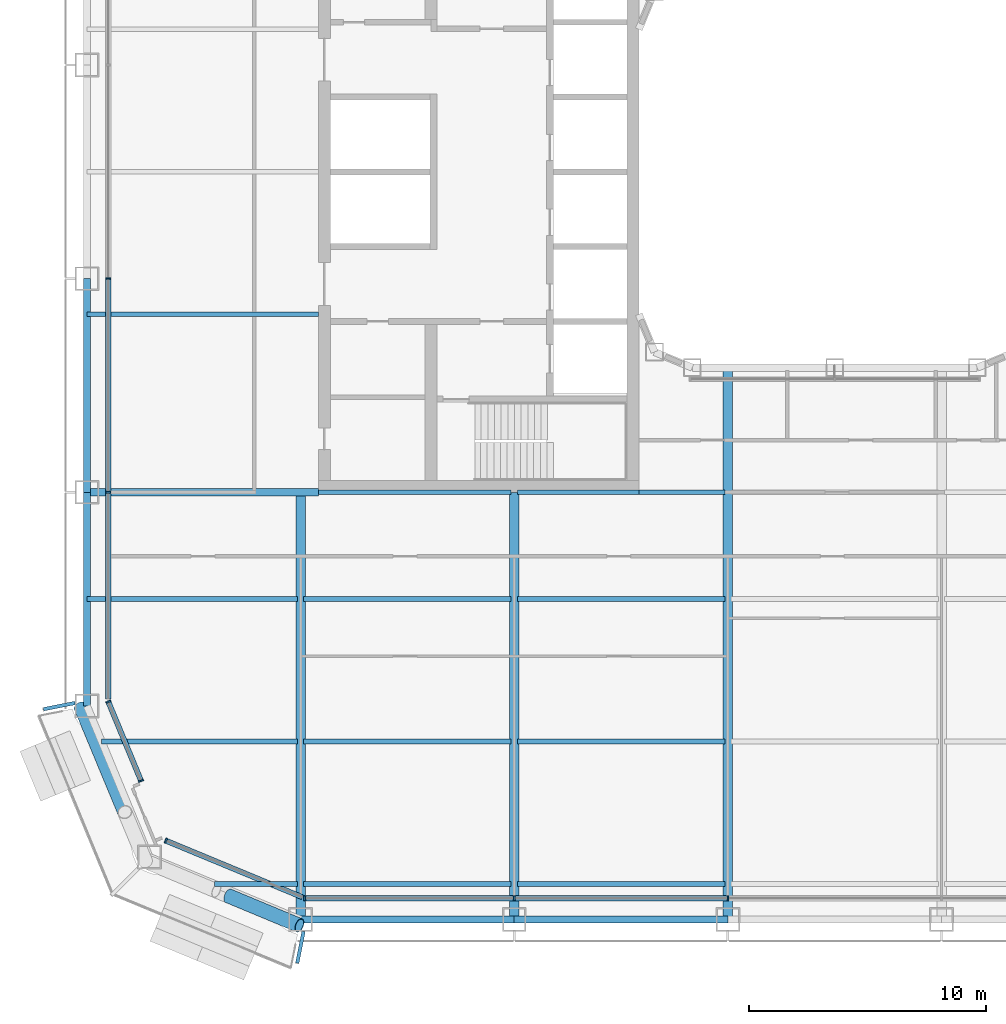
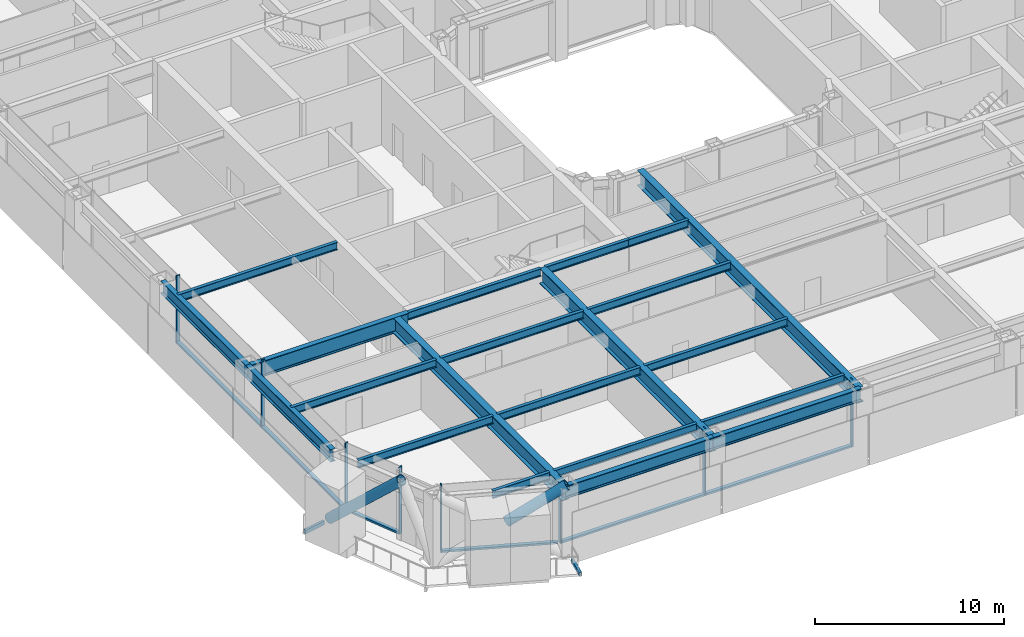
# One storey, part 2 of 27: 23 beams, 16 members, 4 elements without a shape of their own.
"""IFC4 building model written with IfcOpenShell, lengths in metres."""

from ifc_helpers import new_model, si_unit, direction, frame, origin, origin_2d, place, context, subcontext, project, spatial, rectangle, hollow_rectangle, hollow_circle, i_section, extrude, material, layer, layer_set, material_profile, profile_set, type_object, element, aggregate, save


model = new_model("IFC4")

# Units and contexts
model_context = context("Model", 3, precision=1e-05, world=origin(), true_north=direction((0.0, 1.0)))
body_context = subcontext(model_context, "Body", "Model", "MODEL_VIEW")
ifc_project = project(units=[si_unit("LENGTHUNIT", "METRE"), si_unit("AREAUNIT", "SQUARE_METRE"), si_unit("VOLUMEUNIT", "CUBIC_METRE"), si_unit("PLANEANGLEUNIT", "RADIAN"), si_unit("MASSUNIT", "GRAM", prefix="KILO")], contexts=[model_context])

# Site, building, storey
site_placement = place(None, origin())
site = spatial("IfcSite", under=ifc_project, at=site_placement, CompositionType="ELEMENT")
building_placement = place(site_placement, origin())
building = spatial("IfcBuilding", under=site, at=building_placement, Name="Siwar Civic Tower", CompositionType="ELEMENT")
storey_placement = place(building_placement, frame((0.0, 0.0, 71.699951171875)))
storey = spatial("IfcBuildingStorey", under=building, at=storey_placement, Name="L15", CompositionType="ELEMENT", Elevation=71.699951171875)

# Beams
ifc_material_1 = material(Name="Steel S355", Category="steel")
ifc_material_profile_1 = material_profile(ifc_material_1, hollow_rectangle(XDim=0.14990234375, YDim=0.25, WallThickness=0.010009765625, at=origin_2d()), Name="RHS250x150x10")
ifc_profile_set_1 = profile_set([ifc_material_profile_1], Name="Steel S355")
beam_type_1 = type_object("IfcBeamType", Name="ENV-BALCONY ARM", PredefinedType="BEAM", material=ifc_profile_set_1)
for number, where, z_axis, x_axis, name in (
    (1, (-32.0, -22.375244140625, -0.27490234375), (-0.980807679798, -0.194977678848, 0.0), (0.194977678848, -0.980807679798, 0.0), "Balcony cantilever beam SW 1"),
    (2, (-22.375244140625, -32.0, -0.27490234375), (-0.194977678848, -0.980807679798, 0.0), (0.980807679798, -0.194977678848, 0.0), "Balcony cantilever beam SW 3"),
):
    element("IfcBeam", number, at=place(storey_placement, frame(where, z_axis=z_axis, x_axis=x_axis)), inside=storey, type_object=beam_type_1, Name=name, PredefinedType="BEAM", context=body_context, shape_type="SweptSolid", body=[
        extrude(hollow_rectangle(XDim=0.14990234375, YDim=0.25, WallThickness=0.010009765625, at=origin_2d()), origin(), (0.0, 0.0, 1.0), 1.361083984375),
    ])

# Curtain wall, members
ifc_material_2 = material(Name="Aluminium and glass", Category="aluminium")
ifc_layer_1 = layer(ifc_material_2, 0.219970703125)
ifc_layer_set_1 = layer_set([ifc_layer_1], Name="Aluminium and glass")
curtain_wall_type_1 = type_object("IfcCurtainWallType", Name="ENV-CW-A", PredefinedType="NOTDEFINED", material=ifc_layer_set_1)
curtain_wall_1_placement = place(storey_placement, origin())
curtain_wall_1 = element("IfcCurtainWall", 3, at=curtain_wall_1_placement, inside=storey, type_object=curtain_wall_type_1, Name="Curtain wall A S", PredefinedType="NOTDEFINED")
ifc_material_3 = material(Name="Aluminium 6063-T6", Category="aluminium")
ifc_material_profile_2 = material_profile(ifc_material_3, rectangle(XDim=0.219970703125, YDim=0.070068359375, at=origin_2d()), Name="AL 220x70")
ifc_profile_set_2 = profile_set([ifc_material_profile_2], Name="Aluminium 6063-T6")
member_type_1 = type_object("IfcMemberType", Name="ENV-MULLION-A", PredefinedType="MULLION", material=ifc_profile_set_2)
member_1_placement = place(storey_placement, frame((-22.321044921875, -30.60009765625, 0.0), z_axis=(0.0, 0.0, 1.0), x_axis=(0.0, 1.0, 0.0)))
member_1 = element("IfcMember", 4, at=member_1_placement, type_object=member_type_1, Name="Mullion A S 1", PredefinedType="MULLION", context=body_context, shape_type="SweptSolid", body=[
    extrude(rectangle(XDim=0.219970703125, YDim=0.070068359375, at=origin_2d()), origin(), (0.0, 0.0, 1.0), 4.35009765625),
])
member_2_placement = place(storey_placement, frame((-13.5, -30.60009765625, 0.0), z_axis=(0.0, 0.0, 1.0), x_axis=(0.0, 1.0, 0.0)))
member_2 = element("IfcMember", 5, at=member_2_placement, type_object=member_type_1, Name="Mullion A S 2", PredefinedType="MULLION", context=body_context, shape_type="SweptSolid", body=[
    extrude(rectangle(XDim=0.219970703125, YDim=0.070068359375, at=origin_2d()), origin(), (0.0, 0.0, 1.0), 4.35009765625),
])
member_3_placement = place(storey_placement, frame((-4.5, -30.60009765625, 0.0), z_axis=(0.0, 0.0, 1.0), x_axis=(0.0, 1.0, 0.0)))
member_3 = element("IfcMember", 6, at=member_3_placement, type_object=member_type_1, Name="Mullion A S 3", PredefinedType="MULLION", context=body_context, shape_type="SweptSolid", body=[
    extrude(rectangle(XDim=0.219970703125, YDim=0.070068359375, at=origin_2d()), origin(), (0.0, 0.0, 1.0), 4.35009765625),
])

curtain_wall_2_placement = place(storey_placement, origin())
curtain_wall_2 = element("IfcCurtainWall", 7, at=curtain_wall_2_placement, inside=storey, type_object=curtain_wall_type_1, Name="Curtain wall A W", PredefinedType="NOTDEFINED")
member_4_placement = place(storey_placement, frame((-30.60009765625, -4.5, 0.0), z_axis=(0.0, 0.0, 1.0), x_axis=(1.0, 0.0, 0.0)))
member_4 = element("IfcMember", 8, at=member_4_placement, type_object=member_type_1, Name="Mullion A W 4", PredefinedType="MULLION", context=body_context, shape_type="SweptSolid", body=[
    extrude(rectangle(XDim=0.219970703125, YDim=0.070068359375, at=origin_2d()), origin(), (0.0, 0.0, 1.0), 4.35009765625),
])
member_5_placement = place(storey_placement, frame((-30.60009765625, -13.5, 0.0), z_axis=(0.0, 0.0, 1.0), x_axis=(1.0, 0.0, 0.0)))
member_5 = element("IfcMember", 9, at=member_5_placement, type_object=member_type_1, Name="Mullion A W 5", PredefinedType="MULLION", context=body_context, shape_type="SweptSolid", body=[
    extrude(rectangle(XDim=0.219970703125, YDim=0.070068359375, at=origin_2d()), origin(), (0.0, 0.0, 1.0), 4.35009765625),
])

ifc_material_4 = material(Name="Aluminium clad insulated panel", Category="aluminium")
ifc_layer_2 = layer(ifc_material_4, 0.219970703125)
ifc_layer_set_2 = layer_set([ifc_layer_2], Name="Aluminium clad insulated panel")
curtain_wall_type_2 = type_object("IfcCurtainWallType", Name="ENV-CW-AX", PredefinedType="NOTDEFINED", material=ifc_layer_set_2)
curtain_wall_3_placement = place(storey_placement, origin())
curtain_wall_3 = element("IfcCurtainWall", 10, at=curtain_wall_3_placement, inside=storey, type_object=curtain_wall_type_2, Name="Curtain wall A SW1", PredefinedType="NOTDEFINED")
member_6_placement = place(storey_placement, frame((-30.60009765625, -22.321044921875, 0.0), z_axis=(0.0, 0.0, 1.0), x_axis=(0.923879532511, 0.382683432365, 0.0)))
member_6 = element("IfcMember", 11, at=member_6_placement, type_object=member_type_1, Name="Mullion A SW1 1", PredefinedType="MULLION", context=body_context, shape_type="SweptSolid", body=[
    extrude(rectangle(XDim=0.219970703125, YDim=0.070068359375, at=origin_2d()), origin(), (0.0, 0.0, 1.0), 4.35009765625),
])
member_7_placement = place(storey_placement, frame((-29.219482421875, -25.653564453125, 0.0), z_axis=(0.0, 0.0, 1.0), x_axis=(0.923879532511, 0.382683432365, 0.0)))
member_7 = element("IfcMember", 12, at=member_7_placement, type_object=member_type_1, Name="Mullion A SW1 2", PredefinedType="MULLION", context=body_context, shape_type="SweptSolid", body=[
    extrude(rectangle(XDim=0.219970703125, YDim=0.070068359375, at=origin_2d()), origin(), (0.0, 0.0, 1.0), 4.35009765625),
])

# Curtain wall, member
curtain_wall_4_placement = place(storey_placement, origin())
curtain_wall_4 = element("IfcCurtainWall", 13, at=curtain_wall_4_placement, inside=storey, type_object=curtain_wall_type_2, Name="Curtain wall A SW2", PredefinedType="NOTDEFINED")
member_8_placement = place(storey_placement, frame((-28.175048828125, -28.175048828125, 0.0), z_axis=(0.0, 0.0, 1.0), x_axis=(0.382683432365, 0.923879532511, 0.0)))
member_8 = element("IfcMember", 14, at=member_8_placement, type_object=member_type_1, Name="Mullion A SW2 1", PredefinedType="MULLION", context=body_context, shape_type="SweptSolid", body=[
    extrude(rectangle(XDim=0.219970703125, YDim=0.070068359375, at=origin_2d()), origin(), (0.0, 0.0, 1.0), 4.35009765625),
])

# Member
ifc_material_5 = material(Name="Aluminium 6063-T6", Category="aluminium")
ifc_material_profile_3 = material_profile(ifc_material_5, rectangle(XDim=0.219970703125, YDim=0.1201171875, at=origin_2d()), Name="AL 220x120")
ifc_profile_set_3 = profile_set([ifc_material_profile_3], Name="Aluminium 6063-T6")
member_type_2 = type_object("IfcMemberType", Name="ENV-TRANSOM-A", PredefinedType="USERDEFINED", material=ifc_profile_set_3)
member_9_placement = place(storey_placement, frame((-22.285888671875, -30.60009765625, 0.06005859375), z_axis=(1.0, 0.0, 0.0), x_axis=(0.0, 1.0, 0.0)))
member_9 = element("IfcMember", 15, at=member_9_placement, type_object=member_type_2, Name="Transom A S 1", ObjectType="TRANSOM", PredefinedType="USERDEFINED", context=body_context, shape_type="SweptSolid", body=[
    extrude(rectangle(XDim=0.219970703125, YDim=0.1201171875, at=origin_2d()), origin(), (0.0, 0.0, 1.0), 8.7509765625),
])

member_10_placement = place(storey_placement, frame((-13.465087890625, -30.60009765625, 0.06005859375), z_axis=(1.0, 0.0, 0.0), x_axis=(0.0, 1.0, 0.0)))
member_10 = element("IfcMember", 16, at=member_10_placement, type_object=member_type_2, Name="Transom A S 2", ObjectType="TRANSOM", PredefinedType="USERDEFINED", context=body_context, shape_type="SweptSolid", body=[
    extrude(rectangle(XDim=0.219970703125, YDim=0.1201171875, at=origin_2d()), origin(), (0.0, 0.0, 1.0), 8.93017578125),
])

aggregate(curtain_wall_1, [member_1, member_2, member_3, member_9, member_10])

member_11_placement = place(storey_placement, frame((-30.60009765625, -4.534912109375, 0.06005859375), z_axis=(0.0, -1.0, 0.0), x_axis=(1.0, 0.0, 0.0)))
member_11 = element("IfcMember", 17, at=member_11_placement, type_object=member_type_2, Name="Transom A W 4", ObjectType="TRANSOM", PredefinedType="USERDEFINED", context=body_context, shape_type="SweptSolid", body=[
    extrude(rectangle(XDim=0.219970703125, YDim=0.1201171875, at=origin_2d()), origin(), (0.0, 0.0, 1.0), 8.93017578125),
])

member_12_placement = place(storey_placement, frame((-30.60009765625, -13.534912109375, 0.06005859375), z_axis=(0.0, -1.0, 0.0), x_axis=(1.0, 0.0, 0.0)))
member_12 = element("IfcMember", 18, at=member_12_placement, type_object=member_type_2, Name="Transom A W 5", ObjectType="TRANSOM", PredefinedType="USERDEFINED", context=body_context, shape_type="SweptSolid", body=[
    extrude(rectangle(XDim=0.219970703125, YDim=0.1201171875, at=origin_2d()), origin(), (0.0, 0.0, 1.0), 8.66357421875),
])

aggregate(curtain_wall_2, [member_4, member_5, member_11, member_12])

member_13_placement = place(storey_placement, frame((-30.586669921875, -22.353271484375, 0.06005859375), z_axis=(0.38270330002, -0.923871302809, 0.0), x_axis=(0.923871302809, 0.38270330002, 0.0)))
member_13 = element("IfcMember", 19, at=member_13_placement, type_object=member_type_2, Name="Transom A SW1 1", ObjectType="TRANSOM", PredefinedType="USERDEFINED", context=body_context, shape_type="SweptSolid", body=[
    extrude(rectangle(XDim=0.219970703125, YDim=0.1201171875, at=origin_2d()), origin(), (0.0, 0.0, 1.0), 3.537353515625),
])

aggregate(curtain_wall_3, [member_6, member_7, member_13])

member_14_placement = place(storey_placement, frame((-28.142822265625, -28.1884765625, 0.06005859375), z_axis=(0.923873326341, -0.382698415042, 0.0), x_axis=(0.382698415042, 0.923873326341, 0.0)))
member_14 = element("IfcMember", 20, at=member_14_placement, type_object=member_type_2, Name="Transom A SW2 1", ObjectType="TRANSOM", PredefinedType="USERDEFINED", context=body_context, shape_type="SweptSolid", body=[
    extrude(rectangle(XDim=0.219970703125, YDim=0.1201171875, at=origin_2d()), origin(), (0.0, 0.0, 1.0), 6.17919921875),
])

aggregate(curtain_wall_4, [member_8, member_14])

# Members
ifc_material_6 = material(Name="Steel S355", Category="steel")
ifc_material_profile_4 = material_profile(ifc_material_6, hollow_circle(Radius=0.304931640625, WallThickness=0.030029296875, at=origin_2d()), Name="CHS610x30")
ifc_profile_set_4 = profile_set([ifc_material_profile_4], Name="Steel S355")
member_type_3 = type_object("IfcMemberType", Name="STR-BR-CHS610x30", PredefinedType="BRACE", material=ifc_profile_set_4)
member_15_placement = place(storey_placement, frame((-25.537353515625, -30.500244140625, 2.428466796875), z_axis=(0.777559680196, -0.3238932121, 0.53897507446), x_axis=(0.384524353215, 0.923114847559, 0.0)))
element("IfcMember", 21, at=member_15_placement, inside=storey, type_object=member_type_3, Name="L15/brc/ASW1-14-0-3", PredefinedType="BRACE", context=body_context, shape_type="SweptSolid", body=[
    extrude(hollow_circle(Radius=0.304931640625, WallThickness=0.030029296875, at=origin_2d()), origin(), (0.0, 0.0, 1.0), 3.843505859375),
])
member_16_placement = place(storey_placement, frame((-31.7451171875, -22.548828125, 0.0), z_axis=(0.280310719993, -0.672864582402, 0.684601456328), x_axis=(0.923101041979, 0.384557494138, 0.0)))
element("IfcMember", 22, at=member_16_placement, inside=storey, type_object=member_type_3, Name="L15/brc/ASW1-14-0-0", PredefinedType="BRACE", context=body_context, shape_type="SweptSolid", body=[
    extrude(hollow_circle(Radius=0.304931640625, WallThickness=0.030029296875, at=origin_2d()), origin(), (0.0, 0.0, 1.0), 6.5732421875),
])

# Beams
ifc_material_7 = material(Name="Steel S355", Category="steel")
ifc_material_profile_5 = material_profile(ifc_material_7, i_section(OverallWidth=0.199951171875, OverallDepth=0.5, WebThickness=0.01025390625, FlangeThickness=0.01611328125, FilletRadius=0.02099609375, at=origin_2d()), Name="IPE500")
ifc_profile_set_5 = profile_set([ifc_material_profile_5], Name="Steel S355")
beam_type_2 = type_object("IfcBeamType", Name="STR-FB-IPE500", PredefinedType="JOIST", material=ifc_profile_set_5)
beam_1_placement = place(storey_placement, frame((-26.121337890625, -30.0, 4.10009765625), z_axis=(1.0, 0.0, 0.0), x_axis=(0.0, 1.0, 0.0)))
element("IfcBeam", 23, at=beam_1_placement, inside=storey, type_object=beam_type_2, Name="L15/bm/F001", PredefinedType="JOIST", context=body_context, shape_type="SweptSolid", body=[
    extrude(i_section(OverallWidth=0.199951171875, OverallDepth=0.5, WebThickness=0.01025390625, FlangeThickness=0.01611328125, FilletRadius=0.02099609375, at=origin_2d()), origin(), (0.0, 0.0, 1.0), 3.491455078125),
])
for number, where, z_axis, x_axis, name in (
    (24, (-22.3701171875, -30.0, 4.10009765625), (1.0, 0.0, 0.0), (0.0, 1.0, 0.0), "L15/bm/F002"),
    (25, (-13.3701171875, -30.0, 4.10009765625), (1.0, 0.0, 0.0), (0.0, 1.0, 0.0), "L15/bm/F003"),
):
    element("IfcBeam", number, at=place(storey_placement, frame(where, z_axis=z_axis, x_axis=x_axis)), inside=storey, type_object=beam_type_2, Name=name, PredefinedType="JOIST", context=body_context, shape_type="SweptSolid", body=[
        extrude(i_section(OverallWidth=0.199951171875, OverallDepth=0.5, WebThickness=0.01025390625, FlangeThickness=0.01611328125, FilletRadius=0.02099609375, at=origin_2d()), origin(), (0.0, 0.0, 1.0), 8.740234375),
    ])
beam_2_placement = place(storey_placement, frame((-30.878662109375, -24.0, 4.10009765625), z_axis=(1.0, 0.0, 0.0), x_axis=(0.0, 1.0, 0.0)))
element("IfcBeam", 26, at=beam_2_placement, inside=storey, type_object=beam_type_2, Name="L15/bm/F008", PredefinedType="JOIST", context=body_context, shape_type="SweptSolid", body=[
    extrude(i_section(OverallWidth=0.199951171875, OverallDepth=0.5, WebThickness=0.01025390625, FlangeThickness=0.01611328125, FilletRadius=0.02099609375, at=origin_2d()), origin(), (0.0, 0.0, 1.0), 8.248779296875),
])
for number, where, z_axis, x_axis, name in (
    (27, (-22.3701171875, -24.0, 4.10009765625), (1.0, 0.0, 0.0), (0.0, 1.0, 0.0), "L15/bm/F009"),
    (28, (-13.3701171875, -24.0, 4.10009765625), (1.0, 0.0, 0.0), (0.0, 1.0, 0.0), "L15/bm/F010"),
):
    element("IfcBeam", number, at=place(storey_placement, frame(where, z_axis=z_axis, x_axis=x_axis)), inside=storey, type_object=beam_type_2, Name=name, PredefinedType="JOIST", context=body_context, shape_type="SweptSolid", body=[
        extrude(i_section(OverallWidth=0.199951171875, OverallDepth=0.5, WebThickness=0.01025390625, FlangeThickness=0.01611328125, FilletRadius=0.02099609375, at=origin_2d()), origin(), (0.0, 0.0, 1.0), 8.740234375),
    ])
beam_3_placement = place(storey_placement, frame((-31.5, -18.0, 4.10009765625), z_axis=(1.0, 0.0, 0.0), x_axis=(0.0, 1.0, 0.0)))
element("IfcBeam", 29, at=beam_3_placement, inside=storey, type_object=beam_type_2, Name="L15/bm/F015", PredefinedType="JOIST", context=body_context, shape_type="SweptSolid", body=[
    extrude(i_section(OverallWidth=0.199951171875, OverallDepth=0.5, WebThickness=0.01025390625, FlangeThickness=0.01611328125, FilletRadius=0.02099609375, at=origin_2d()), origin(), (0.0, 0.0, 1.0), 8.8701171875),
])
for number, where, z_axis, x_axis, name in (
    (30, (-22.3701171875, -18.0, 4.10009765625), (1.0, 0.0, 0.0), (0.0, 1.0, 0.0), "L15/bm/F016"),
    (31, (-13.3701171875, -18.0, 4.10009765625), (1.0, 0.0, 0.0), (0.0, 1.0, 0.0), "L15/bm/F017"),
):
    element("IfcBeam", number, at=place(storey_placement, frame(where, z_axis=z_axis, x_axis=x_axis)), inside=storey, type_object=beam_type_2, Name=name, PredefinedType="JOIST", context=body_context, shape_type="SweptSolid", body=[
        extrude(i_section(OverallWidth=0.199951171875, OverallDepth=0.5, WebThickness=0.01025390625, FlangeThickness=0.01611328125, FilletRadius=0.02099609375, at=origin_2d()), origin(), (0.0, 0.0, 1.0), 8.740234375),
    ])
beam_4_placement = place(storey_placement, frame((-21.75, -13.5, 4.10009765625), z_axis=(1.0, 0.0, 0.0), x_axis=(0.0, 1.0, 0.0)))
element("IfcBeam", 32, at=beam_4_placement, inside=storey, type_object=beam_type_2, Name="L15/bm/F023", PredefinedType="JOIST", context=body_context, shape_type="SweptSolid", body=[
    extrude(i_section(OverallWidth=0.199951171875, OverallDepth=0.5, WebThickness=0.01025390625, FlangeThickness=0.01611328125, FilletRadius=0.02099609375, at=origin_2d()), origin(), (0.0, 0.0, 1.0), 8.1201171875),
])
beam_5_placement = place(storey_placement, frame((-13.3701171875, -13.5, 4.10009765625), z_axis=(1.0, 0.0, 0.0), x_axis=(0.0, 1.0, 0.0)))
element("IfcBeam", 33, at=beam_5_placement, inside=storey, type_object=beam_type_2, Name="L15/bm/F024", PredefinedType="JOIST", context=body_context, shape_type="SweptSolid", body=[
    extrude(i_section(OverallWidth=0.199951171875, OverallDepth=0.5, WebThickness=0.01025390625, FlangeThickness=0.01611328125, FilletRadius=0.02099609375, at=origin_2d()), origin(), (0.0, 0.0, 1.0), 5.1201171875),
])
beam_6_placement = place(storey_placement, frame((-8.25, -13.5, 4.10009765625), z_axis=(1.0, 0.0, 0.0), x_axis=(0.0, 1.0, 0.0)))
element("IfcBeam", 34, at=beam_6_placement, inside=storey, type_object=beam_type_2, Name="L15/bm/F025", PredefinedType="JOIST", context=body_context, shape_type="SweptSolid", body=[
    extrude(i_section(OverallWidth=0.199951171875, OverallDepth=0.5, WebThickness=0.01025390625, FlangeThickness=0.01611328125, FilletRadius=0.02099609375, at=origin_2d()), origin(), (0.0, 0.0, 1.0), 3.6201171875),
])
beam_7_placement = place(storey_placement, frame((-31.5, -6.0, 4.10009765625), z_axis=(1.0, 0.0, 0.0), x_axis=(0.0, 1.0, 0.0)))
element("IfcBeam", 35, at=beam_7_placement, inside=storey, type_object=beam_type_2, Name="L15/bm/F031", PredefinedType="JOIST", context=body_context, shape_type="SweptSolid", body=[
    extrude(i_section(OverallWidth=0.199951171875, OverallDepth=0.5, WebThickness=0.01025390625, FlangeThickness=0.01611328125, FilletRadius=0.02099609375, at=origin_2d()), origin(), (0.0, 0.0, 1.0), 9.75),
])
ifc_material_8 = material(Name="Steel S355", Category="steel")
ifc_material_profile_6 = material_profile(ifc_material_8, i_section(OverallWidth=0.300048828125, OverallDepth=1.0, WebThickness=0.01904296875, FlangeThickness=0.035888671875, FilletRadius=0.030029296875, at=origin_2d()), Name="HEB1000")
ifc_profile_set_6 = profile_set([ifc_material_profile_6], Name="Steel S355")
beam_type_3 = type_object("IfcBeamType", Name="STR-PG-HEB1000", PredefinedType="BEAM", material=ifc_profile_set_6)
beam_8_placement = place(storey_placement, frame((-31.5, -13.5, 3.85009765625), z_axis=(1.0, 0.0, 0.0), x_axis=(0.0, 1.0, 0.0)))
element("IfcBeam", 36, at=beam_8_placement, inside=storey, type_object=beam_type_3, Name="L15/bm/F022", PredefinedType="BEAM", context=body_context, shape_type="SweptSolid", body=[
    extrude(i_section(OverallWidth=0.300048828125, OverallDepth=1.0, WebThickness=0.01904296875, FlangeThickness=0.035888671875, FilletRadius=0.030029296875, at=origin_2d()), origin(), (0.0, 0.0, 1.0), 9.75),
])
ifc_material_9 = material(Name="Steel S355", Category="steel")
ifc_material_profile_7 = material_profile(ifc_material_9, i_section(OverallWidth=0.39990234375, OverallDepth=1.0, WebThickness=0.01611328125, FlangeThickness=0.0400390625, at=origin_2d()), Name="PG1000x400x16x40")
ifc_profile_set_7 = profile_set([ifc_material_profile_7], Name="Steel S355")
beam_type_4 = type_object("IfcBeamType", Name="STR-PG-PG1000x400x16x40", PredefinedType="BEAM", material=ifc_profile_set_7)
for number, where, z_axis, x_axis, name in (
    (37, (-22.5, -31.5, 3.85009765625), (0.0, 1.0, 0.0), (-1.0, 0.0, 0.0), "L15/bm/G01"),
    (38, (-13.5, -31.5, 3.85009765625), (0.0, 1.0, 0.0), (-1.0, 0.0, 0.0), "L15/bm/G03"),
):
    element("IfcBeam", number, at=place(storey_placement, frame(where, z_axis=z_axis, x_axis=x_axis)), inside=storey, type_object=beam_type_4, Name=name, PredefinedType="BEAM", context=body_context, shape_type="SweptSolid", body=[
        extrude(i_section(OverallWidth=0.39990234375, OverallDepth=1.0, WebThickness=0.01611328125, FlangeThickness=0.0400390625, at=origin_2d()), origin(), (0.0, 0.0, 1.0), 18.0),
    ])
beam_9_placement = place(storey_placement, frame((-4.5, -31.5, 3.85009765625), z_axis=(0.0, 1.0, 0.0), x_axis=(-1.0, 0.0, 0.0)))
element("IfcBeam", 39, at=beam_9_placement, inside=storey, type_object=beam_type_4, Name="L15/bm/G05", PredefinedType="BEAM", context=body_context, shape_type="SweptSolid", body=[
    extrude(i_section(OverallWidth=0.39990234375, OverallDepth=1.0, WebThickness=0.01611328125, FlangeThickness=0.0400390625, at=origin_2d()), origin(), (0.0, 0.0, 1.0), 23.25),
])
ifc_material_10 = material(Name="Steel S355", Category="steel")
ifc_material_profile_8 = material_profile(ifc_material_10, i_section(OverallWidth=0.302978515625, OverallDepth=0.81396484375, WebThickness=0.02099609375, FlangeThickness=0.0400390625, FilletRadius=0.030029296875, at=origin_2d()), Name="HEM800")
ifc_profile_set_8 = profile_set([ifc_material_profile_8], Name="Steel S355")
beam_type_5 = type_object("IfcBeamType", Name="STR-SB-HEM800", PredefinedType="BEAM", material=ifc_profile_set_8)
for number, where, z_axis, x_axis, name in (
    (40, (-22.5, -31.5, 3.943115234375), (1.0, 0.0, 0.0), (0.0, 1.0, 0.0), "L15/bm/SS-0"),
    (41, (-13.5, -31.5, 3.943115234375), (1.0, 0.0, 0.0), (0.0, 1.0, 0.0), "L15/bm/SS-1"),
    (42, (-31.5, -4.5, 3.943115234375), (0.0, -1.0, 0.0), (1.0, 0.0, 0.0), "L15/bm/SW-3"),
    (43, (-31.5, -13.5, 3.943115234375), (0.0, -1.0, 0.0), (1.0, 0.0, 0.0), "L15/bm/SW-4"),
):
    element("IfcBeam", number, at=place(storey_placement, frame(where, z_axis=z_axis, x_axis=x_axis)), inside=storey, type_object=beam_type_5, Name=name, PredefinedType="BEAM", context=body_context, shape_type="SweptSolid", body=[
        extrude(i_section(OverallWidth=0.302978515625, OverallDepth=0.81396484375, WebThickness=0.02099609375, FlangeThickness=0.0400390625, FilletRadius=0.030029296875, at=origin_2d()), origin(), (0.0, 0.0, 1.0), 9.0),
    ])

save(model, "model.ifc")
